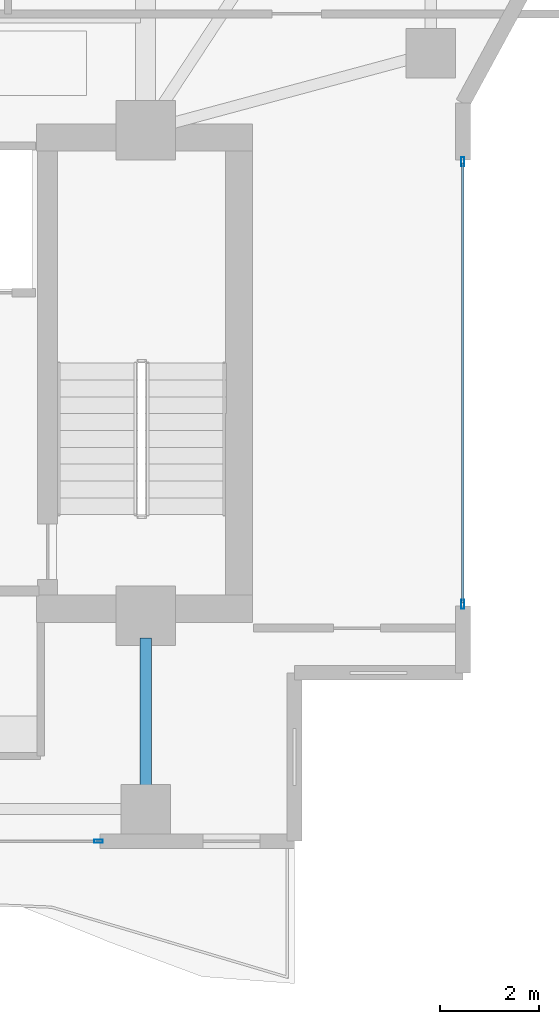
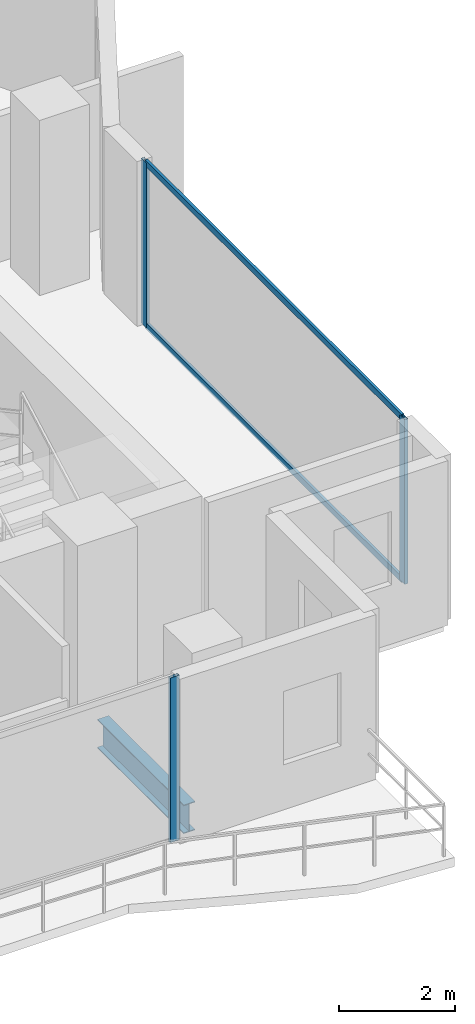
# One storey, part 8 of 24: 5 members, 1 beam, 2 elements without a shape of their own.
"""IFC4 building model written with IfcOpenShell, lengths in metres."""

from ifc_helpers import new_model, si_unit, direction, frame, origin, origin_2d, place, context, subcontext, project, spatial, hollow_rectangle, i_section, extrude, material, layer, layer_set, material_profile, profile_set, type_object, element, aggregate, save


model = new_model("IFC4")

# Units and contexts
model_context = context("Model", 3, precision=1e-05, world=origin(), true_north=direction((0.0, 1.0)))
body_context = subcontext(model_context, "Body", "Model", "MODEL_VIEW")
ifc_project = project(units=[si_unit("LENGTHUNIT", "METRE"), si_unit("AREAUNIT", "SQUARE_METRE"), si_unit("VOLUMEUNIT", "CUBIC_METRE"), si_unit("PLANEANGLEUNIT", "RADIAN"), si_unit("MASSUNIT", "GRAM", prefix="KILO")], contexts=[model_context])

# Site, building, storey
site_placement = place(None, origin())
site = spatial("IfcSite", under=ifc_project, at=site_placement, CompositionType="ELEMENT")
building_placement = place(site_placement, origin())
building = spatial("IfcBuilding", under=site, at=building_placement, Name="Zuhayl Quay Hotel", CompositionType="ELEMENT")
storey_placement = place(building_placement, frame((0.0, 0.0, 269.25)))
storey = spatial("IfcBuildingStorey", under=building, at=storey_placement, Name="L68", CompositionType="ELEMENT", Elevation=269.25)

# Beam
ifc_material_1 = material(Name="Steel ASTM A992 Grade 50", Category="steel")
ifc_material_profile_1 = material_profile(ifc_material_1, i_section(OverallWidth=0.22802734375, OverallDepth=0.60693359375, WebThickness=0.01123046875, FlangeThickness=0.017333984375, at=origin_2d()), Name="W24X76")
ifc_profile_set_1 = profile_set([ifc_material_profile_1], Name="Steel ASTM A992 Grade 50")
beam_type = type_object("IfcBeamType", Name="BM_B3_W24X76", PredefinedType="BEAM", material=ifc_profile_set_1)
beam_placement = place(storey_placement, frame((13.800048828125, 1.110107421875, -0.5234375), z_axis=(0.0, 1.0, 0.0), x_axis=(-1.0, 0.0, 0.0)))
element("IfcBeam", 1, at=beam_placement, inside=storey, type_object=beam_type, Name="L68 Floor Beam FG_S_L68_4", PredefinedType="BEAM", context=body_context, shape_type="SweptSolid", body=[
    extrude(i_section(OverallWidth=0.22802734375, OverallDepth=0.60693359375, WebThickness=0.01123046875, FlangeThickness=0.017333984375, at=origin_2d()), origin(), (0.0, 0.0, 1.0), 2.989990234375),
])

# Curtain wall, members
ifc_material_2 = material(Name="Anodised Aluminium 6063-T6", Category="aluminium")
ifc_layer = layer(ifc_material_2, 0.169921875, Name="Anodised Aluminium 6063-T6", Category="aluminium")
ifc_layer_set = layer_set([ifc_layer], Name="Anodised Aluminium 6063-T6")
curtain_wall_type = type_object("IfcCurtainWallType", Name="CW_SYS_Z4", PredefinedType="USERDEFINED", material=ifc_layer_set)
curtain_wall_1_placement = place(storey_placement, origin())
curtain_wall_1 = element("IfcCurtainWall", 2, at=curtain_wall_1_placement, inside=storey, type_object=curtain_wall_type, Name="L68 Curtain Wall ENV_L68_E14_CW1", ObjectType="UNITISED CURTAIN WALL", PredefinedType="USERDEFINED")
ifc_material_3 = material(Name="Black-anodised aluminium 6063-T6", Category="aluminium")
ifc_material_profile_2 = material_profile(ifc_material_3, hollow_rectangle(XDim=0.06494140625, YDim=0.179931640625, WallThickness=0.00341796875, at=origin_2d()), Name="ALU180X65")
ifc_profile_set_2 = profile_set([ifc_material_profile_2], Name="Black-anodised aluminium 6063-T6")
member_type_1 = type_object("IfcMemberType", Name="MB_CW_MUL_180", PredefinedType="MULLION", material=ifc_profile_set_2)
member_1_placement = place(storey_placement, frame((20.199951171875, 13.717529296875, 0.0), z_axis=(0.0, 0.0, 1.0), x_axis=(1.0, 0.0, 0.0)))
member_1 = element("IfcMember", 3, at=member_1_placement, type_object=member_type_1, Name="CW-Z4 mullion 1", PredefinedType="MULLION", context=body_context, shape_type="SweptSolid", body=[
    extrude(hollow_rectangle(XDim=0.06494140625, YDim=0.179931640625, WallThickness=0.00341796875, at=origin_2d()), origin(), (0.0, 0.0, 1.0), 3.47998046875),
])
member_2_placement = place(storey_placement, frame((20.199951171875, 4.782470703125, 0.0), z_axis=(0.0, 0.0, 1.0), x_axis=(1.0, 0.0, 0.0)))
member_2 = element("IfcMember", 4, at=member_2_placement, type_object=member_type_1, Name="CW-Z4 mullion 2", PredefinedType="MULLION", context=body_context, shape_type="SweptSolid", body=[
    extrude(hollow_rectangle(XDim=0.06494140625, YDim=0.179931640625, WallThickness=0.00341796875, at=origin_2d()), origin(), (0.0, 0.0, 1.0), 3.47998046875),
])

# Curtain wall, member
curtain_wall_2_placement = place(storey_placement, origin())
curtain_wall_2 = element("IfcCurtainWall", 5, at=curtain_wall_2_placement, inside=storey, type_object=curtain_wall_type, Name="L68 Curtain Wall ENV_L68_S_CW1", ObjectType="UNITISED CURTAIN WALL", PredefinedType="USERDEFINED")
member_3_placement = place(storey_placement, frame((12.847412109375, 0.0, 0.0), z_axis=(0.0, 0.0, 1.0), x_axis=(0.0, -1.0, 0.0)))
member_3 = element("IfcMember", 6, at=member_3_placement, type_object=member_type_1, Name="CW-Z4 mullion 1", PredefinedType="MULLION", context=body_context, shape_type="SweptSolid", body=[
    extrude(hollow_rectangle(XDim=0.06494140625, YDim=0.179931640625, WallThickness=0.00341796875, at=origin_2d()), origin(), (0.0, 0.0, 1.0), 3.47998046875),
])
aggregate(curtain_wall_2, [member_3])

# Member
ifc_material_profile_3 = material_profile(ifc_material_3, hollow_rectangle(XDim=0.054931640625, YDim=0.1298828125, WallThickness=0.0029296875, at=origin_2d()), Name="ALU130X55")
ifc_profile_set_3 = profile_set([ifc_material_profile_3], Name="Black-anodised aluminium 6063-T6")
member_type_2 = type_object("IfcMemberType", Name="MB_CW_TRN_130", PredefinedType="USERDEFINED", material=ifc_profile_set_3)
member_4_placement = place(storey_placement, frame((20.199951171875, 13.68505859375, 0.027587890625), z_axis=(0.0, -1.0, 0.0), x_axis=(1.0, 0.0, 0.0)))
member_4 = element("IfcMember", 7, at=member_4_placement, type_object=member_type_2, Name="CW-Z4 transom 1.1", ObjectType="TRANSOM", PredefinedType="USERDEFINED", context=body_context, shape_type="SweptSolid", body=[
    extrude(hollow_rectangle(XDim=0.054931640625, YDim=0.1298828125, WallThickness=0.0029296875, at=origin_2d()), origin(), (0.0, 0.0, 1.0), 8.8701171875),
])

member_5_placement = place(storey_placement, frame((20.199951171875, 13.68505859375, 3.452392578125), z_axis=(0.0, -1.0, 0.0), x_axis=(1.0, 0.0, 0.0)))
member_5 = element("IfcMember", 8, at=member_5_placement, type_object=member_type_2, Name="CW-Z4 transom 1.2", ObjectType="TRANSOM", PredefinedType="USERDEFINED", context=body_context, shape_type="SweptSolid", body=[
    extrude(hollow_rectangle(XDim=0.054931640625, YDim=0.1298828125, WallThickness=0.0029296875, at=origin_2d()), origin(), (0.0, 0.0, 1.0), 8.8701171875),
])

aggregate(curtain_wall_1, [member_1, member_2, member_4, member_5])

save(model, "model.ifc")
